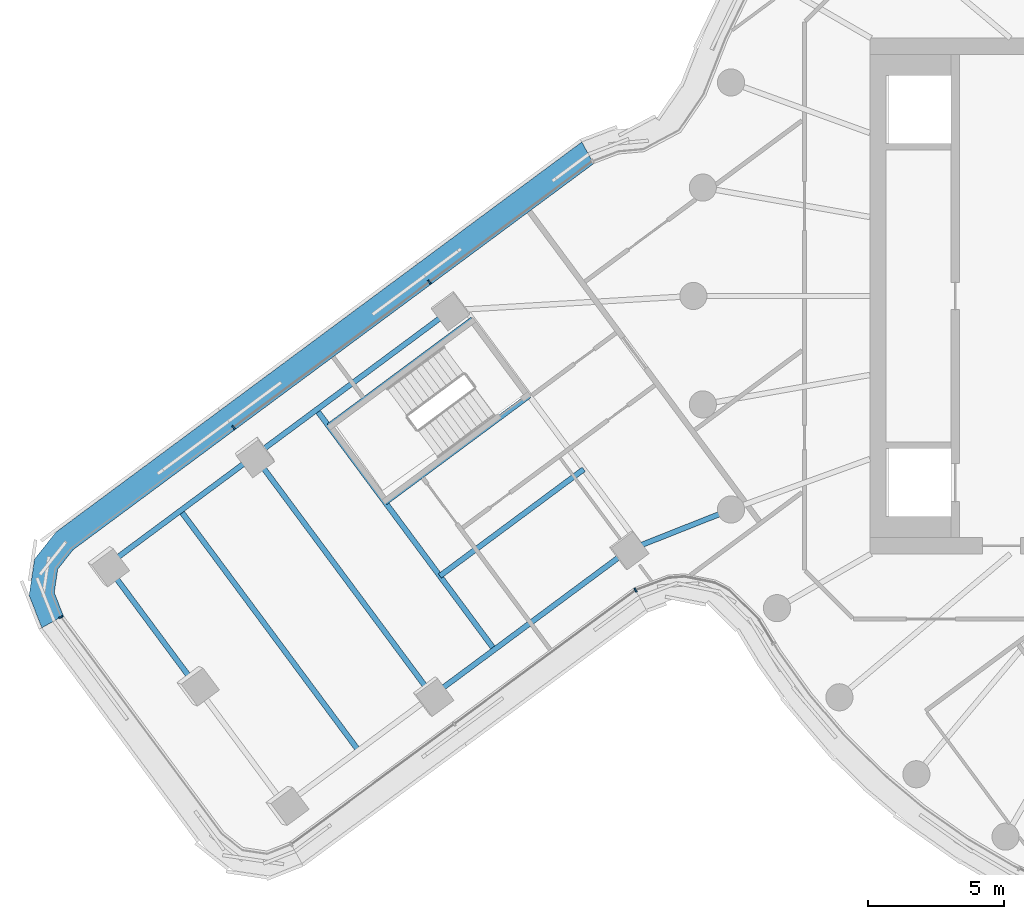
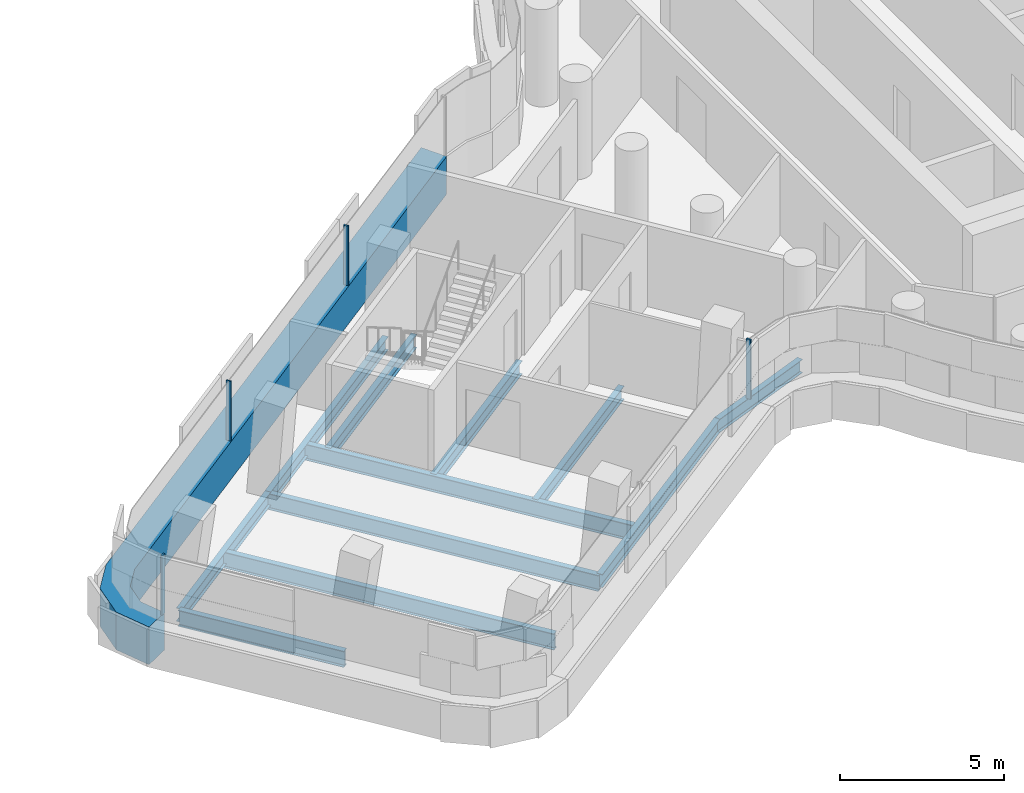
# One storey, part 8 of 32: 11 beams, 5 members, 3 elements without a shape of their own.
"""IFC4 building model written with IfcOpenShell, lengths in metres."""

from ifc_helpers import new_model, si_unit, direction, frame, origin, origin_2d, place, context, subcontext, project, spatial, polyline, rectangle, i_section, outline, extrude, material, layer, layer_set, material_profile, profile_set, type_object, element, aggregate, save


model = new_model("IFC4")

# Units and contexts
model_context = context("Model", 3, precision=1e-05, world=origin(), true_north=direction((0.0, 1.0)))
body_context = subcontext(model_context, "Body", "Model", "MODEL_VIEW")
ifc_project = project(units=[si_unit("LENGTHUNIT", "METRE"), si_unit("AREAUNIT", "SQUARE_METRE"), si_unit("VOLUMEUNIT", "CUBIC_METRE"), si_unit("PLANEANGLEUNIT", "RADIAN"), si_unit("MASSUNIT", "GRAM", prefix="KILO")], contexts=[model_context])

# Site, building, storey
site_placement = place(None, origin())
site = spatial("IfcSite", under=ifc_project, at=site_placement, CompositionType="ELEMENT")
building_placement = place(site_placement, origin())
building = spatial("IfcBuilding", under=site, at=building_placement, Name="Tamarind Cross Interchange Tower", CompositionType="ELEMENT")
storey_placement = place(building_placement, frame((0.0, 0.0, 166.75)))
storey = spatial("IfcBuildingStorey", under=building, at=storey_placement, Name="L41", CompositionType="ELEMENT", Elevation=166.75)

# Beams
ifc_material_1 = material(Name="Steel Q355B", Category="steel")
ifc_material_profile_1 = material_profile(ifc_material_1, i_section(OverallWidth=0.198974609375, OverallDepth=0.49609375, WebThickness=0.009033203125, FlangeThickness=0.013916015625, FilletRadius=0.012939453125, at=origin_2d()), Name="HN 496x199x9x14")
ifc_profile_set_1 = profile_set([ifc_material_profile_1], Name="Steel Q355B")
beam_type_1 = type_object("IfcBeamType", Name="Composite beam HN 496x199x9x14 Q355B", PredefinedType="BEAM", material=ifc_profile_set_1)
beam_1_placement = place(storey_placement, frame((-44.611572265625, -9.92529296875, -0.387939453125), z_axis=(0.803141978928, 0.595787681716, 0.0), x_axis=(-0.595787681716, 0.803141978928, 0.0)))
element("IfcBeam", 1, at=beam_1_placement, inside=storey, type_object=beam_type_1, Name="Beam W-edgeem5", PredefinedType="BEAM", context=body_context, shape_type="SweptSolid", body=[
    extrude(i_section(OverallWidth=0.198974609375, OverallDepth=0.49609375, WebThickness=0.009033203125, FlangeThickness=0.013916015625, FilletRadius=0.012939453125, at=origin_2d()), origin(), (0.0, 0.0, 1.0), 6.773681640625),
])
beam_2_placement = place(storey_placement, frame((-39.17138671875, -5.8896484375, -0.387939453125), z_axis=(0.803152878036, 0.595772989067, 0.0), x_axis=(-0.595772989067, 0.803152878036, 0.0)))
element("IfcBeam", 2, at=beam_2_placement, inside=storey, type_object=beam_type_1, Name="Beam W-edgeem6", PredefinedType="BEAM", context=body_context, shape_type="SweptSolid", body=[
    extrude(i_section(OverallWidth=0.198974609375, OverallDepth=0.49609375, WebThickness=0.009033203125, FlangeThickness=0.013916015625, FilletRadius=0.012939453125, at=origin_2d()), origin(), (0.0, 0.0, 1.0), 9.000244140625),
])
beam_3_placement = place(storey_placement, frame((-32.61767578125, -14.724365234375, -0.387939453125), z_axis=(0.803143249396, 0.595785969078, 0.0), x_axis=(-0.595785969078, 0.803143249396, 0.0)))
element("IfcBeam", 3, at=beam_3_placement, inside=storey, type_object=beam_type_1, Name="Beam W-edgeep3", PredefinedType="BEAM", context=body_context, shape_type="SweptSolid", body=[
    extrude(i_section(OverallWidth=0.198974609375, OverallDepth=0.49609375, WebThickness=0.009033203125, FlangeThickness=0.013916015625, FilletRadius=0.012939453125, at=origin_2d()), origin(), (0.0, 0.0, 1.0), 9.0),
])
beam_4_placement = place(storey_placement, frame((-25.389404296875, -9.3623046875, -0.387939453125), z_axis=(0.929719168177, 0.368269287783, 0.0), x_axis=(-0.368269287783, 0.929719168177, 0.0)))
element("IfcBeam", 4, at=beam_4_placement, inside=storey, type_object=beam_type_1, Name="Beam W-linkep", PredefinedType="BEAM", context=body_context, shape_type="SweptSolid", body=[
    extrude(i_section(OverallWidth=0.198974609375, OverallDepth=0.49609375, WebThickness=0.009033203125, FlangeThickness=0.013916015625, FilletRadius=0.012939453125, at=origin_2d()), origin(), (0.0, 0.0, 1.0), 4.061767578125),
])
for number, where, z_axis, x_axis, name in (
    (5, (-31.134765625, -0.86181640625, -0.387939453125), (-0.803149415481, -0.595777656859, 0.0), (0.595777656859, -0.803149415481, 0.0), "Beam W-tr0"),
    (6, (-29.049560546875, -3.6728515625, -0.387939453125), (-0.803149415481, -0.595777656859, 0.0), (0.595777656859, -0.803149415481, 0.0), "Beam W-tr1"),
    (7, (-27.038818359375, -6.383544921875, -0.387939453125), (-0.803149415481, -0.595777656859, 0.0), (0.595777656859, -0.803149415481, 0.0), "Beam W-stripp"),
):
    element("IfcBeam", number, at=place(storey_placement, frame(where, z_axis=z_axis, x_axis=x_axis)), inside=storey, type_object=beam_type_1, Name=name, PredefinedType="BEAM", context=body_context, shape_type="SweptSolid", body=[
        extrude(i_section(OverallWidth=0.198974609375, OverallDepth=0.49609375, WebThickness=0.009033203125, FlangeThickness=0.013916015625, FilletRadius=0.012939453125, at=origin_2d()), origin(), (0.0, 0.0, 1.0), 6.60009765625),
    ])
ifc_material_profile_2 = material_profile(ifc_material_1, i_section(OverallWidth=0.199951171875, OverallDepth=0.60009765625, WebThickness=0.010986328125, FlangeThickness=0.01708984375, FilletRadius=0.012939453125, at=origin_2d()), Name="HN 600x200x11x17")
ifc_profile_set_2 = profile_set([ifc_material_profile_2], Name="Steel Q355B")
beam_type_2 = type_object("IfcBeamType", Name="Composite beam HN 600x200x11x17 Q355B", PredefinedType="BEAM", material=ifc_profile_set_2)
beam_5_placement = place(storey_placement, frame((-44.611572265625, -9.92529296875, -0.43994140625), z_axis=(0.595794281258, -0.803137083206, 0.0), x_axis=(0.803137083206, 0.595794281258, 0.0)))
element("IfcBeam", 8, at=beam_5_placement, inside=storey, type_object=beam_type_2, Name="Beam W-tip0", PredefinedType="BEAM", context=body_context, shape_type="SweptSolid", body=[
    extrude(i_section(OverallWidth=0.199951171875, OverallDepth=0.60009765625, WebThickness=0.010986328125, FlangeThickness=0.01708984375, FilletRadius=0.012939453125, at=origin_2d()), origin(), (0.0, 0.0, 1.0), 5.5),
])
beam_6_placement = place(storey_placement, frame((-36.88232421875, -4.191650390625, -0.43994140625), z_axis=(0.595769344603, -0.803155581461, 0.0), x_axis=(0.803155581461, 0.595769344603, 0.0)))
element("IfcBeam", 9, at=beam_6_placement, inside=storey, type_object=beam_type_2, Name="Beam W-x364", PredefinedType="BEAM", context=body_context, shape_type="SweptSolid", body=[
    extrude(i_section(OverallWidth=0.199951171875, OverallDepth=0.60009765625, WebThickness=0.010986328125, FlangeThickness=0.01708984375, FilletRadius=0.012939453125, at=origin_2d()), origin(), (0.0, 0.0, 1.0), 11.0),
])
beam_7_placement = place(storey_placement, frame((-39.17138671875, -5.8896484375, -0.43994140625), z_axis=(0.595783661136, -0.803144961463, 0.0), x_axis=(0.803144961463, 0.595783661136, 0.0)))
element("IfcBeam", 10, at=beam_7_placement, inside=storey, type_object=beam_type_2, Name="Beam W-x393", PredefinedType="BEAM", context=body_context, shape_type="SweptSolid", body=[
    extrude(i_section(OverallWidth=0.199951171875, OverallDepth=0.60009765625, WebThickness=0.010986328125, FlangeThickness=0.01708984375, FilletRadius=0.012939453125, at=origin_2d()), origin(), (0.0, 0.0, 1.0), 11.000244140625),
])
beam_8_placement = place(storey_placement, frame((-41.891357421875, -7.907470703125, -0.43994140625), z_axis=(0.59577996475, -0.803147703478, 0.0), x_axis=(0.803147703478, 0.59577996475, 0.0)))
element("IfcBeam", 11, at=beam_8_placement, inside=storey, type_object=beam_type_2, Name="Beam W-x427", PredefinedType="BEAM", context=body_context, shape_type="SweptSolid", body=[
    extrude(i_section(OverallWidth=0.199951171875, OverallDepth=0.60009765625, WebThickness=0.010986328125, FlangeThickness=0.01708984375, FilletRadius=0.012939453125, at=origin_2d()), origin(), (0.0, 0.0, 1.0), 10.999755859375),
])

# Curtain wall, members
ifc_material_2 = material(Name="Aluminium 6063-T6", Category="aluminium")
ifc_layer = layer(ifc_material_2, 0.159912109375)
ifc_layer_set = layer_set([ifc_layer], Name="Aluminium 6063-T6")
curtain_wall_type = type_object("IfcCurtainWallType", Name="Office curtain wall, 9.0 m bays", PredefinedType="NOTDEFINED", material=ifc_layer_set)
curtain_wall_1_placement = place(storey_placement, origin())
curtain_wall_1 = element("IfcCurtainWall", 12, at=curtain_wall_1_placement, inside=storey, type_object=curtain_wall_type, Name="CWS-L41-07", PredefinedType="NOTDEFINED")
ifc_material_3 = material(Name="Aluminium and insulated spandrel panel", Category="aluminium")
member_type_1 = type_object("IfcMemberType", Name="Floor-edge blade transom", PredefinedType="USERDEFINED", material=ifc_material_3)
member_1_placement = place(storey_placement, origin())
member_1 = element("IfcMember", 13, at=member_1_placement, type_object=member_type_1, Name="CWT-L41-07", ObjectType="TRANSOM", PredefinedType="USERDEFINED", context=body_context, shape_type="SweptSolid", body=[
    extrude(outline(polyline([(-26.67236328125, 4.876220703125), (-45.846923828125, -9.347412109375), (-46.416015625, -10.064453125), (-46.544189453125, -10.9296875), (-46.20751953125, -11.781005859375), (-47.0009765625, -12.221923828125), (-47.4697265625, -11.0361328125), (-47.270751953125, -9.694091796875), (-46.478271484375, -8.6953125), (-27.109130859375, 5.6728515625), (-26.67236328125, 4.876220703125)])), origin(), (0.0, 0.0, 1.0), 1.39990234375),
])
ifc_material_profile_3 = material_profile(ifc_material_2, rectangle(XDim=0.06005859375, YDim=0.159912109375, at=origin_2d()), Name="Mullion CW1")
ifc_profile_set_3 = profile_set([ifc_material_profile_3], Name="Aluminium 6063-T6")
member_type_2 = type_object("IfcMemberType", Name="Mullion CW1", PredefinedType="MULLION", material=ifc_profile_set_3)
member_2_placement = place(storey_placement, frame((-32.72607421875, 0.510009765625, 1.39990234375), z_axis=(0.0, 0.0, 1.0), x_axis=(-0.803150344752, -0.595776404136, 0.0)))
member_2 = element("IfcMember", 14, at=member_2_placement, type_object=member_type_2, Name="CWM-L41-07-01", PredefinedType="MULLION", context=body_context, shape_type="SweptSolid", body=[
    extrude(rectangle(XDim=0.06005859375, YDim=0.159912109375, at=origin_2d()), origin(), (0.0, 0.0, 1.0), 2.210205078125),
])
member_3_placement = place(storey_placement, frame((-39.938232421875, -4.83984375, 1.39990234375), z_axis=(0.0, 0.0, 1.0), x_axis=(-0.803150344752, -0.595776404136, 0.0)))
member_3 = element("IfcMember", 15, at=member_3_placement, type_object=member_type_2, Name="CWM-L41-07-02", PredefinedType="MULLION", context=body_context, shape_type="SweptSolid", body=[
    extrude(rectangle(XDim=0.06005859375, YDim=0.159912109375, at=origin_2d()), origin(), (0.0, 0.0, 1.0), 2.210205078125),
])
aggregate(curtain_wall_1, [member_2, member_3, member_1])

# Curtain wall, member
curtain_wall_2_placement = place(storey_placement, origin())
curtain_wall_2 = element("IfcCurtainWall", 16, at=curtain_wall_2_placement, inside=storey, type_object=curtain_wall_type, Name="CWS-L41-08", PredefinedType="NOTDEFINED")
member_4_placement = place(storey_placement, frame((-46.2958984375, -11.829833984375, 1.39990234375), z_axis=(0.0, 0.0, 1.0), x_axis=(0.485847298127, -0.874043707661, 0.0)))
member_4 = element("IfcMember", 17, at=member_4_placement, type_object=member_type_2, Name="CWM-L41-08-00", PredefinedType="MULLION", context=body_context, shape_type="SweptSolid", body=[
    extrude(rectangle(XDim=0.06005859375, YDim=0.159912109375, at=origin_2d()), origin(), (0.0, 0.0, 1.0), 2.210205078125),
])
aggregate(curtain_wall_2, [member_4])

curtain_wall_3_placement = place(storey_placement, origin())
curtain_wall_3 = element("IfcCurtainWall", 18, at=curtain_wall_3_placement, inside=storey, type_object=curtain_wall_type, Name="CWS-L41-10", PredefinedType="NOTDEFINED")
member_5_placement = place(storey_placement, frame((-25.131103515625, -10.837158203125, 1.39990234375), z_axis=(0.0, 0.0, 1.0), x_axis=(0.878677909453, 0.477415051542, 0.0)))
member_5 = element("IfcMember", 19, at=member_5_placement, type_object=member_type_2, Name="CWM-L41-10-00", PredefinedType="MULLION", context=body_context, shape_type="SweptSolid", body=[
    extrude(rectangle(XDim=0.06005859375, YDim=0.159912109375, at=origin_2d()), origin(), (0.0, 0.0, 1.0), 2.210205078125),
])
aggregate(curtain_wall_3, [member_5])

save(model, "model.ifc")
